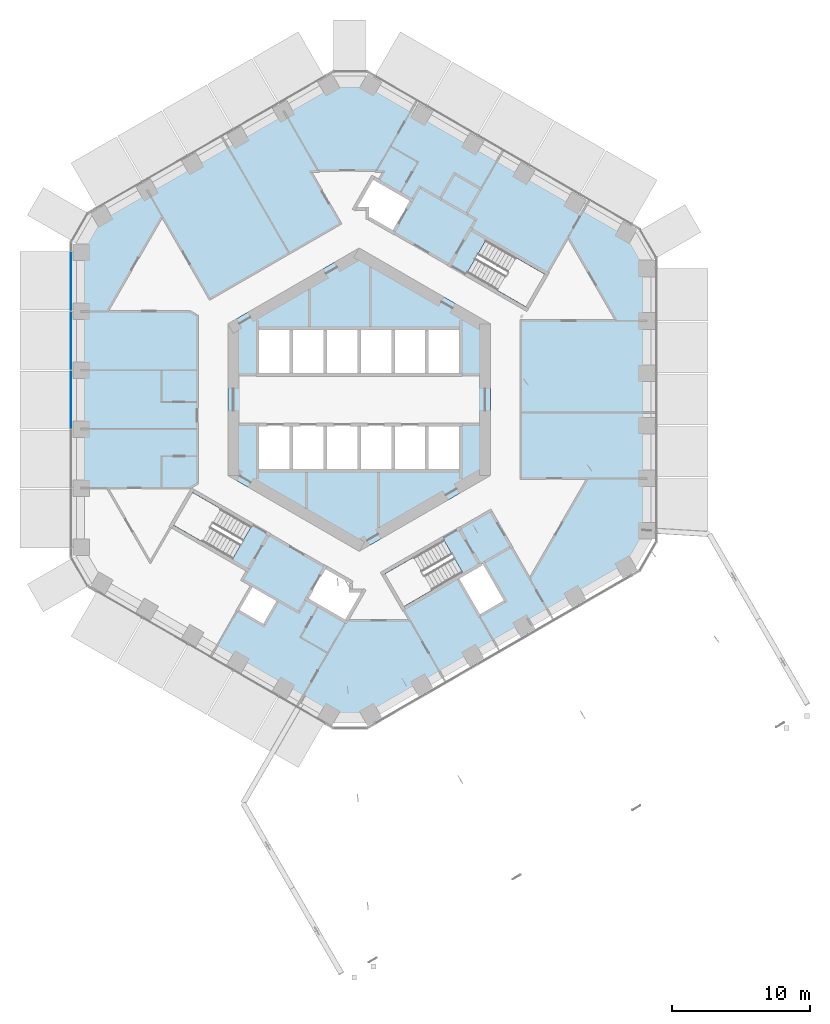
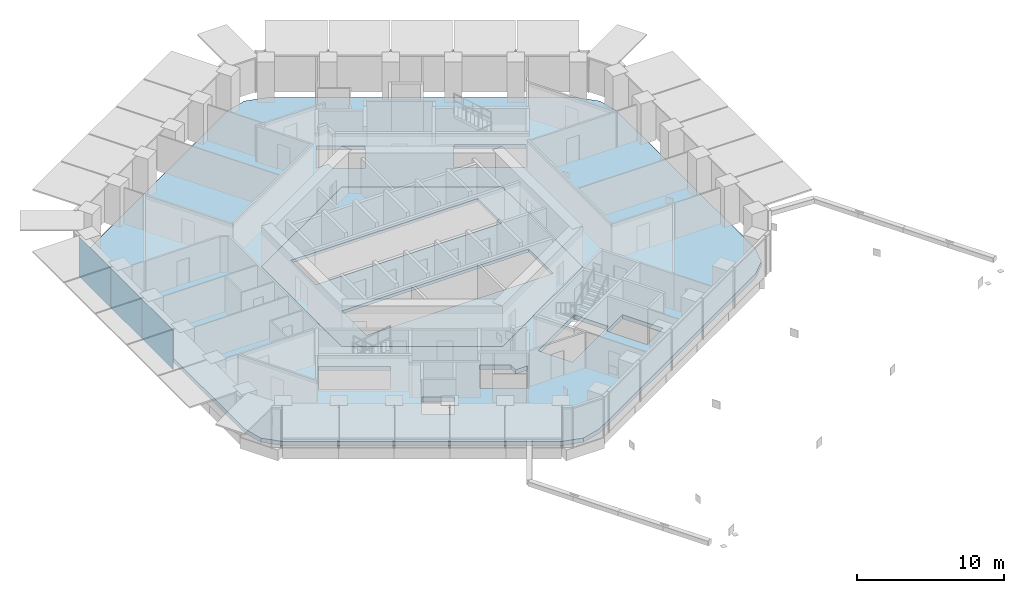
# One storey, part 9 of 22: 3 plates, 2 slabs, 1 element without a shape of its own.
"""IFC4 building model written with IfcOpenShell, lengths in metres."""

import ifcopenshell
import ifcopenshell.guid

model = None  # the IFC model being written
_history = None  # IfcOwnerHistory: only IFC2X3 demands one
_inside = {}  # id of a spatial element -> (the spatial element, [elements in it])
_under = {}  # id of a project, library or spatial element -> (it, [spatial elements below it])
_declared = {}  # id of a project -> (the project, [libraries it declares])
_typed = {}  # id of a type object -> (the type object, [elements of that type])
_made_of = {}  # id of a material, layer set ... -> (it, [elements and type objects made of it])


def new_model(schema):
    """Start an empty IFC model of exactly this schema.

    Asked for "IFC4X3", IfcOpenShell would pick the latest addendum, in which some entities
    have other attributes; the version numbers below select the first issue.
    IFC2X3 requires an IfcOwnerHistory on every rooted entity: one is made here for all.
    """
    global model, _history
    if schema == "IFC4X3":
        model = ifcopenshell.file(schema_version=(4, 3, 0, 0))
    else:
        model = ifcopenshell.file(schema=schema)
    _inside.clear()
    _under.clear()
    _declared.clear()
    _typed.clear()
    _made_of.clear()
    _history = None
    if model.schema == "IFC2X3":
        org = make("IfcOrganization", Name="unknown")
        user = make(
            "IfcPersonAndOrganization",
            ThePerson=make("IfcPerson", FamilyName="unknown"),
            TheOrganization=org,
        )
        app = make(
            "IfcApplication",
            ApplicationDeveloper=org,
            Version="unknown",
            ApplicationFullName="unknown",
            ApplicationIdentifier="unknown",
        )
        _history = make(
            "IfcOwnerHistory",
            OwningUser=user,
            OwningApplication=app,
            ChangeAction="ADDED",
            CreationDate=0,
        )
    return model


def make(cls, **values):
    """One entity of the class cls with the attributes given. An attribute that is None is left unset."""
    return model.create_entity(
        cls, **{name: value for name, value in values.items() if value is not None}
    )


def rooted(cls, **values):
    """An entity with a GlobalId (a new one), such as an element, a storey or a relation."""
    return make(cls, GlobalId=ifcopenshell.guid.new(), OwnerHistory=_history, **values)


def si_unit(unit_type, name, prefix=None):
    """IfcSIUnit, for example si_unit("LENGTHUNIT", "METRE", prefix="MILLI")."""
    return make("IfcSIUnit", UnitType=unit_type, Prefix=prefix, Name=name)


def assignment(units):
    """IfcUnitAssignment: the units of a project."""
    return None if units is None else make("IfcUnitAssignment", Units=units)


def point(xyz):
    """IfcCartesianPoint."""
    return None if xyz is None else make("IfcCartesianPoint", Coordinates=xyz)


def direction(xyz):
    """IfcDirection."""
    return None if xyz is None else make("IfcDirection", DirectionRatios=xyz)


def frame(location, z_axis=None, x_axis=None):
    """IfcAxis2Placement3D, a coordinate frame: its origin and axes. An axis left out is left unset."""
    return make(
        "IfcAxis2Placement3D",
        Location=point(location),
        Axis=direction(z_axis),
        RefDirection=direction(x_axis),
    )


def frame_2d(location, x_axis=None):
    """IfcAxis2Placement2D, a coordinate frame in the plane: its origin and x axis."""
    return make(
        "IfcAxis2Placement2D", Location=point(location), RefDirection=direction(x_axis)
    )


def origin():
    """The frame at (0, 0, 0) with its axes left unset."""
    return frame((0.0, 0.0, 0.0))


def origin_2d():
    """The frame at (0, 0) in the plane with its x axis left unset."""
    return frame_2d((0.0, 0.0))


def place(relative_to, where):
    """IfcLocalPlacement: puts the frame where relative to a parent placement (None: the world)."""
    return make(
        "IfcLocalPlacement", PlacementRelTo=relative_to, RelativePlacement=where
    )


def context(
    kind, dimensions, precision=None, world=None, true_north=None, identifier=None
):
    """IfcGeometricRepresentationContext, for example the 3D "Model" context."""
    return make(
        "IfcGeometricRepresentationContext",
        ContextIdentifier=identifier,
        ContextType=kind,
        CoordinateSpaceDimension=dimensions,
        Precision=precision,
        WorldCoordinateSystem=world,
        TrueNorth=true_north,
    )


def subcontext(parent, identifier, kind, view, scale=None):
    """IfcGeometricRepresentationSubContext, for example "Body" below "Model"."""
    return make(
        "IfcGeometricRepresentationSubContext",
        ContextIdentifier=identifier,
        ContextType=kind,
        ParentContext=parent,
        TargetScale=scale,
        TargetView=view,
    )


def project(units=None, contexts=None):
    """IfcProject with its units and contexts."""
    return rooted(
        "IfcProject",
        Name="project",
        RepresentationContexts=contexts,
        UnitsInContext=assignment(units),
    )


def spatial(cls, under=None, at=None, **own):
    """A site, building, storey or space (cls), placed at a placement, below another one or the project."""
    s = rooted(cls, ObjectPlacement=at, **own)
    if under is not None:
        _under.setdefault(under.id(), (under, []))[1].append(s)
    return s


def polyline(points):
    """IfcPolyline through the points."""
    return make("IfcPolyline", Points=[point(p) for p in points])


def profile(cls, at=None, kind="AREA", **sizes):
    """A parametric profile (cls). Its sizes go by their IFC names, for example OverallWidth=200.0."""
    return make(cls, ProfileType=kind, Position=at, **sizes)


def rectangle(**sizes):
    """IfcRectangleProfileDef."""
    return profile("IfcRectangleProfileDef", **sizes)


def outline(outer, holes=None, kind="AREA"):
    """IfcArbitraryClosedProfileDef: a profile drawn as a closed curve; with holes, ...WithVoids."""
    if holes is None:
        return make("IfcArbitraryClosedProfileDef", ProfileType=kind, OuterCurve=outer)
    return make(
        "IfcArbitraryProfileDefWithVoids",
        ProfileType=kind,
        OuterCurve=outer,
        InnerCurves=holes,
    )


def extrude(swept, where, along, depth):
    """IfcExtrudedAreaSolid: the profile swept, set in the frame where, extruded along a direction by depth."""
    return make(
        "IfcExtrudedAreaSolid",
        SweptArea=swept,
        Position=where,
        ExtrudedDirection=direction(along),
        Depth=depth,
    )


def shape(context_of_items, identifier, shape_type, items):
    """IfcShapeRepresentation: the items that make up one representation, for example the "Body"."""
    return make(
        "IfcShapeRepresentation",
        ContextOfItems=context_of_items,
        RepresentationIdentifier=identifier,
        RepresentationType=shape_type,
        Items=items,
    )


def material(Name=None, Category=None):
    """IfcMaterial."""
    return make("IfcMaterial", Name=Name, Category=Category)


def layer(
    of_material, thickness, ventilated=None, Name=None, Category=None, Priority=None
):
    """IfcMaterialLayer: one layer of a wall or slab, of a material (None: an air gap)."""
    return make(
        "IfcMaterialLayer",
        Material=of_material,
        LayerThickness=thickness,
        IsVentilated=ventilated,
        Name=Name,
        Category=Category,
        Priority=Priority,
    )


def layer_set(layers, Name=None):
    """IfcMaterialLayerSet."""
    return make("IfcMaterialLayerSet", MaterialLayers=layers, LayerSetName=Name)


def made_of(thing, what):
    """Note that an element or type object is made of a material, layer set ...; save() writes the relation."""
    if what is not None:
        _made_of.setdefault(what.id(), (what, []))[1].append(thing)
    return thing


def type_object(cls, material=None, **own):
    """A type object (cls), such as IfcWallType, which elements share."""
    return made_of(rooted(cls, **own), material)


def element(
    cls,
    number,
    at=None,
    inside=None,
    cuts=None,
    type_object=None,
    material=None,
    context=None,
    identifier="Body",
    shape_type=None,
    held_by="IfcProductDefinitionShape",
    body=None,
    shapes=None,
    **own,
):
    """One element of the class cls, such as IfcWall. Its Tag is "e" and its number.

    at: its placement. inside: the storey or other place that contains it. cuts: it is an
    opening in that element (IfcRelVoidsElement). A single representation is given by context,
    identifier, shape_type and body (its items); several are given by shapes. held_by: the class
    of the entity that holds the representations. save() writes the other relations.
    """
    e = rooted(cls, Tag="e%d" % number, ObjectPlacement=at, **own)
    if body is not None:
        shapes = [shape(context, identifier, shape_type, body)]
    if shapes is not None:
        e.Representation = make(held_by, Representations=shapes)
    if inside is not None:
        _inside.setdefault(inside.id(), (inside, []))[1].append(e)
    if cuts is not None:
        rooted(
            "IfcRelVoidsElement", RelatingBuildingElement=cuts, RelatedOpeningElement=e
        )
    if type_object is not None:
        _typed.setdefault(type_object.id(), (type_object, []))[1].append(e)
    return made_of(e, material)


def aggregate(whole, parts):
    """IfcRelAggregates: a whole, such as a stair, and the parts it consists of."""
    return rooted("IfcRelAggregates", RelatingObject=whole, RelatedObjects=parts)


def save(model, path):
    """Write the relations noted so far, then the file.

    IfcRelAggregates (storeys below a building ...), IfcRelContainedInSpatialStructure (elements
    in a storey), IfcRelDefinesByType, IfcRelAssociatesMaterial and IfcRelDeclares: one each for
    every whole, place, type object, material and project.
    """
    for whole, parts in _under.values():
        aggregate(whole, parts)
    for where, things in _inside.values():
        rooted(
            "IfcRelContainedInSpatialStructure",
            RelatedElements=things,
            RelatingStructure=where,
        )
    for kind, things in _typed.values():
        rooted("IfcRelDefinesByType", RelatedObjects=things, RelatingType=kind)
    for what, things in _made_of.values():
        rooted("IfcRelAssociatesMaterial", RelatedObjects=things, RelatingMaterial=what)
    for by, libraries in _declared.values():
        rooted("IfcRelDeclares", RelatingContext=by, RelatedDefinitions=libraries)
    model.write(path)


model = new_model("IFC4")

# Units and contexts
model_context = context("Model", 3, precision=1e-05, world=origin(), true_north=direction((0.0, 1.0)))
body_context = subcontext(model_context, "Body", "Model", "MODEL_VIEW")
ifc_project = project(units=[si_unit("LENGTHUNIT", "METRE"), si_unit("AREAUNIT", "SQUARE_METRE"), si_unit("VOLUMEUNIT", "CUBIC_METRE"), si_unit("PLANEANGLEUNIT", "RADIAN"), si_unit("MASSUNIT", "GRAM", prefix="KILO")], contexts=[model_context])

# Site, building, storey
site_placement = place(None, origin())
site = spatial("IfcSite", under=ifc_project, at=site_placement, CompositionType="ELEMENT")
building_placement = place(site_placement, origin())
building = spatial("IfcBuilding", under=site, at=building_placement, Name="Ayvan Gate Tower", CompositionType="ELEMENT")
storey_placement = place(building_placement, frame((0.0, 0.0, 62.89990234375)))
storey = spatial("IfcBuildingStorey", under=building, at=storey_placement, Name="L16", CompositionType="ELEMENT", Elevation=62.89990234375)

# Slabs
ifc_material_1 = material(Name="Concrete C40/50", Category="concrete")
ifc_layer_1 = layer(ifc_material_1, 0.35009765625)
ifc_layer_set_1 = layer_set([ifc_layer_1], Name="Concrete C40/50")
slab_type_1 = type_object("IfcSlabType", Name="Post-tensioned flat slab 350", PredefinedType="FLOOR", material=ifc_layer_set_1)
slab_1_placement = place(storey_placement, frame((0.0, 0.0, -0.349853515625)))
element("IfcSlab", 1, at=slab_1_placement, inside=storey, type_object=slab_type_1, Name="SL-L16", PredefinedType="FLOOR", context=body_context, shape_type="SweptSolid", body=[
    extrude(outline(polyline([(-2.15283203125, -22.757080078125), (-18.6318359375, -13.242919921875), (-19.72998046875, -12.144775390625), (-20.1318359375, -10.644775390625), (-20.1318359375, 10.644775390625), (-19.72998046875, 12.144775390625), (-18.6318359375, 13.242919921875), (-2.15283203125, 22.757080078125), (-0.65283203125, 23.158935546875), (0.84716796875, 22.757080078125), (19.28466796875, 12.1123046875), (20.382568359375, 11.01416015625), (20.78466796875, 9.51416015625), (20.78466796875, -9.51416015625), (20.382568359375, -11.01416015625), (19.28466796875, -12.1123046875), (0.84716796875, -22.757080078125), (-0.65283203125, -23.158935546875), (-2.15283203125, -22.757080078125)]), holes=[polyline([(9.1611328125, 11.517578125), (7.80615234375, 9.170654296875), (12.049560546875, 6.720458984375), (13.404541015625, 9.0673828125), (9.1611328125, 11.517578125)]), polyline([(10.595458984375, -14.5517578125), (8.995361328125, -11.780517578125), (8.735595703125, -11.9306640625), (7.090087890625, -12.880615234375), (8.690185546875, -15.65185546875), (10.595458984375, -14.5517578125)]), polyline([(-9.5, 5.48486328125), (-9.5, -5.48486328125), (0.0, -10.9697265625), (9.5, -5.48486328125), (9.5, 5.48486328125), (0.0, 10.9697265625), (-9.5, 5.48486328125)]), polyline([(7.472412109375, -12.492431640625), (6.117431640625, -10.1455078125), (1.873779296875, -12.595458984375), (3.228759765625, -14.9423828125), (7.472412109375, -12.492431640625)]), polyline([(3.822509765625, 14.420654296875), (0.964599609375, 16.07080078125), (-0.340576171875, 13.81005859375), (0.60009765625, 13.81005859375), (0.60009765625, 13.16357421875), (2.472412109375, 12.08251953125), (3.822509765625, 14.420654296875)]), polyline([(-0.60009765625, -13.81005859375), (-0.60009765625, -13.16357421875), (-2.472412109375, -12.08251953125), (-3.822509765625, -14.420654296875), (-0.964599609375, -16.07080078125), (-0.900146484375, -15.958984375), (0.340576171875, -13.81005859375), (-0.60009765625, -13.81005859375)]), polyline([(-8.800048828125, -15.241943359375), (-6.894775390625, -16.342041015625), (-5.8447265625, -14.5234375), (-7.75, -13.42333984375), (-8.800048828125, -15.241943359375)]), polyline([(-12.049560546875, -6.720458984375), (-13.404541015625, -9.0673828125), (-9.1611328125, -11.517578125), (-7.80615234375, -9.170654296875), (-12.049560546875, -6.720458984375)])]), origin(), (0.0, 0.0, 1.0), 0.349853515625),
])
ifc_layer_2 = layer(ifc_material_1, 0.25)
ifc_layer_set_2 = layer_set([ifc_layer_2], Name="Concrete C40/50")
slab_type_2 = type_object("IfcSlabType", Name="SL-CORE-250", PredefinedType="FLOOR", material=ifc_layer_set_2)
slab_2_placement = place(storey_placement, frame((0.0, 0.0, -0.25)))
element("IfcSlab", 2, at=slab_2_placement, inside=storey, type_object=slab_type_2, Name="CS-L16", PredefinedType="FLOOR", context=body_context, shape_type="SweptSolid", body=[
    extrude(outline(polyline([(9.5, -5.48486328125), (0.0, -10.9697265625), (-9.5, -5.48486328125), (-9.5, 5.48486328125), (0.0, 10.9697265625), (9.5, 5.48486328125), (9.5, -5.48486328125)]), holes=[polyline([(-7.35009765625, -1.800048828125), (-7.35009765625, -5.14990234375), (7.35009765625, -5.14990234375), (7.35009765625, -1.800048828125), (-7.35009765625, -1.800048828125)]), polyline([(-7.35009765625, 5.14990234375), (-7.35009765625, 1.800048828125), (7.35009765625, 1.800048828125), (7.35009765625, 5.14990234375), (-7.35009765625, 5.14990234375)])]), origin(), (0.0, 0.0, 1.0), 0.25),
])

# Curtain wall, plates
ifc_material_2 = material(Name="Bronze anodised aluminium", Category="aluminium")
ifc_layer_3 = layer(ifc_material_2, 0.199951171875)
ifc_layer_set_3 = layer_set([ifc_layer_3], Name="Bronze anodised aluminium")
curtain_wall_type = type_object("IfcCurtainWallType", Name="Stick curtain wall CW-1", PredefinedType="NOTDEFINED", material=ifc_layer_set_3)
curtain_wall_placement = place(storey_placement, origin())
curtain_wall = element("IfcCurtainWall", 3, at=curtain_wall_placement, inside=storey, type_object=curtain_wall_type, Name="Stick curtain wall CW-1 L16", PredefinedType="NOTDEFINED")
ifc_material_3 = material(Name="Clear low-iron laminated glass", Category="glass")
ifc_layer_4 = layer(ifc_material_3, 0.028076171875)
ifc_layer_set_4 = layer_set([ifc_layer_4], Name="Clear low-iron laminated glass")
plate_type = type_object("IfcPlateType", Name="Stick curtain wall CW-1 glass panel", PredefinedType="CURTAIN_PANEL", material=ifc_layer_set_4)
plate_1_placement = place(storey_placement, frame((-20.831787109375, 8.56689453125, 0.0), z_axis=(0.0, 0.0, 1.0), x_axis=(0.0, -1.0, 0.0)))
plate_1 = element("IfcPlate", 4, at=plate_1_placement, type_object=plate_type, Name="CW-1 glass panel 1", PredefinedType="CURTAIN_PANEL", context=body_context, shape_type="SweptSolid", body=[
    extrude(rectangle(XDim=4.280029296875, YDim=0.028076171875, at=origin_2d()), origin(), (0.0, 0.0, 1.0), 3.280029296875),
])
plate_2_placement = place(storey_placement, frame((-20.831787109375, 4.264404296875, 0.0), z_axis=(0.0, 0.0, 1.0), x_axis=(0.0, -1.0, 0.0)))
plate_2 = element("IfcPlate", 5, at=plate_2_placement, type_object=plate_type, Name="CW-1 glass panel 2", PredefinedType="CURTAIN_PANEL", context=body_context, shape_type="SweptSolid", body=[
    extrude(rectangle(XDim=4.205078125, YDim=0.028076171875, at=origin_2d()), origin(), (0.0, 0.0, 1.0), 3.280029296875),
])
plate_3_placement = place(storey_placement, frame((-20.831787109375, 0.0, 0.0), z_axis=(0.0, 0.0, 1.0), x_axis=(0.0, -1.0, 0.0)))
plate_3 = element("IfcPlate", 6, at=plate_3_placement, type_object=plate_type, Name="CW-1 glass panel 3", PredefinedType="CURTAIN_PANEL", context=body_context, shape_type="SweptSolid", body=[
    extrude(rectangle(XDim=4.2041015625, YDim=0.028076171875, at=origin_2d()), origin(), (0.0, 0.0, 1.0), 3.280029296875),
])
aggregate(curtain_wall, [plate_1, plate_2, plate_3])

save(model, "model.ifc")
